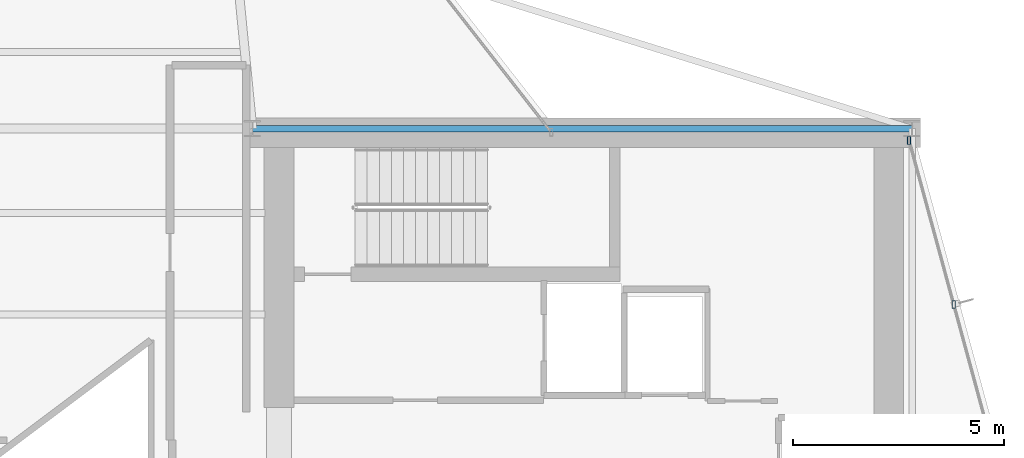
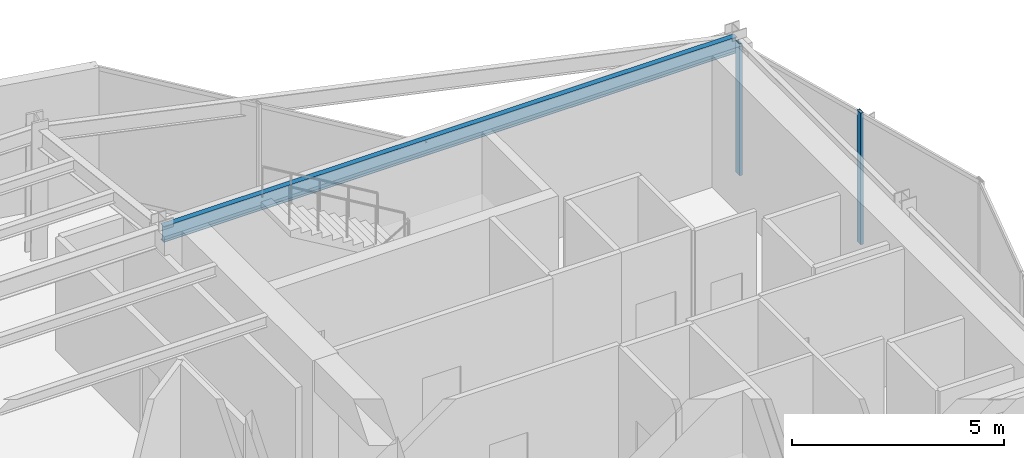
# One storey, part 14 of 20: 2 members, 1 beam, 1 element without a shape of its own.
"""IFC4 building model written with IfcOpenShell, lengths in metres."""

from ifc_helpers import new_model, si_unit, direction, frame, origin, origin_2d, place, context, subcontext, project, spatial, hollow_rectangle, i_section, extrude, material, layer, layer_set, material_profile, profile_set, type_object, element, aggregate, save


model = new_model("IFC4")

# Units and contexts
model_context = context("Model", 3, precision=1e-05, world=origin(), true_north=direction((0.0, 1.0)))
body_context = subcontext(model_context, "Body", "Model", "MODEL_VIEW")
ifc_project = project(units=[si_unit("LENGTHUNIT", "METRE"), si_unit("AREAUNIT", "SQUARE_METRE"), si_unit("VOLUMEUNIT", "CUBIC_METRE"), si_unit("PLANEANGLEUNIT", "RADIAN"), si_unit("MASSUNIT", "GRAM", prefix="KILO")], contexts=[model_context])

# Site, building, storey
site_placement = place(None, origin())
site = spatial("IfcSite", under=ifc_project, at=site_placement, CompositionType="ELEMENT")
building_placement = place(site_placement, origin())
building = spatial("IfcBuilding", under=site, at=building_placement, Name="Veymaron Broadcast Tower", CompositionType="ELEMENT")
storey_placement = place(building_placement, frame((0.0, 0.0, 248.550048828125)))
storey = spatial("IfcBuildingStorey", under=building, at=storey_placement, Name="L58", CompositionType="ELEMENT", Elevation=248.550048828125)

# Beam
ifc_material_1 = material(Name="Structural steel ASTM A992 Gr 50", Category="steel")
ifc_material_profile_1 = material_profile(ifc_material_1, i_section(OverallWidth=0.154052734375, OverallDepth=0.458984375, WebThickness=0.009033203125, FlangeThickness=0.015380859375, at=origin_2d()), Name="W460X68")
ifc_profile_set_1 = profile_set([ifc_material_profile_1], Name="Structural steel ASTM A992 Gr 50")
beam_type = type_object("IfcBeamType", Name="BM-SP2", PredefinedType="SPANDREL", material=ifc_profile_set_1)
beam_placement = place(storey_placement, frame((39.0, 32.0, 3.560546875), z_axis=(1.0, 0.0, 0.0), x_axis=(0.0, 1.0, 0.0)))
element("IfcBeam", 1, at=beam_placement, inside=storey, type_object=beam_type, Name="L58 primary structural floor girder", PredefinedType="SPANDREL", context=body_context, shape_type="SweptSolid", body=[
    extrude(i_section(OverallWidth=0.154052734375, OverallDepth=0.458984375, WebThickness=0.009033203125, FlangeThickness=0.015380859375, at=origin_2d()), origin(), (0.0, 0.0, 1.0), 15.60009765625),
])

# Curtain wall, members
ifc_material_2 = material(Name="Anodised aluminium AA 6063-T6 and laminated low-E dark glass", Category="aluminium")
ifc_layer = layer(ifc_material_2, 0.179931640625)
ifc_layer_set = layer_set([ifc_layer], Name="Anodised aluminium AA 6063-T6 and laminated low-E dark glass")
curtain_wall_type = type_object("IfcCurtainWallType", Name="CW-SYS-05", PredefinedType="NOTDEFINED", material=ifc_layer_set)
curtain_wall_placement = place(storey_placement, origin())
curtain_wall = element("IfcCurtainWall", 2, at=curtain_wall_placement, inside=storey, type_object=curtain_wall_type, Name="L58 dark-glass curtain wall CW-L58-E3-1", PredefinedType="NOTDEFINED")
ifc_material_3 = material(Name="Anodised aluminium AA 6063-T6", Category="aluminium")
ifc_material_profile_2 = material_profile(ifc_material_3, hollow_rectangle(XDim=0.074951171875, YDim=0.179931640625, WallThickness=0.0048828125, at=origin_2d()), Name="AL180X75X5")
ifc_profile_set_2 = profile_set([ifc_material_profile_2], Name="Anodised aluminium AA 6063-T6")
member_type = type_object("IfcMemberType", Name="CW-MUL-02", PredefinedType="MULLION", material=ifc_profile_set_2)
member_1_placement = place(storey_placement, frame((55.585693359375, 27.84228515625, 0.0), z_axis=(0.0, 0.0, 1.0), x_axis=(1.0, 0.0, 0.0)))
member_1 = element("IfcMember", 3, at=member_1_placement, type_object=member_type, Name="CW-L58-E3-1 mullion 1", PredefinedType="MULLION", context=body_context, shape_type="SweptSolid", body=[
    extrude(hollow_rectangle(XDim=0.074951171875, YDim=0.179931640625, WallThickness=0.0048828125, at=origin_2d()), origin(), (0.0, 0.0, 1.0), 3.7900390625),
])
member_2_placement = place(storey_placement, frame((54.53076171875, 31.721435546875, 0.0), z_axis=(0.0, 0.0, 1.0), x_axis=(1.0, 0.0, 0.0)))
member_2 = element("IfcMember", 4, at=member_2_placement, type_object=member_type, Name="CW-L58-E3-1 mullion 2", PredefinedType="MULLION", context=body_context, shape_type="SweptSolid", body=[
    extrude(hollow_rectangle(XDim=0.074951171875, YDim=0.179931640625, WallThickness=0.0048828125, at=origin_2d()), origin(), (0.0, 0.0, 1.0), 3.7900390625),
])
aggregate(curtain_wall, [member_1, member_2])

save(model, "model.ifc")
